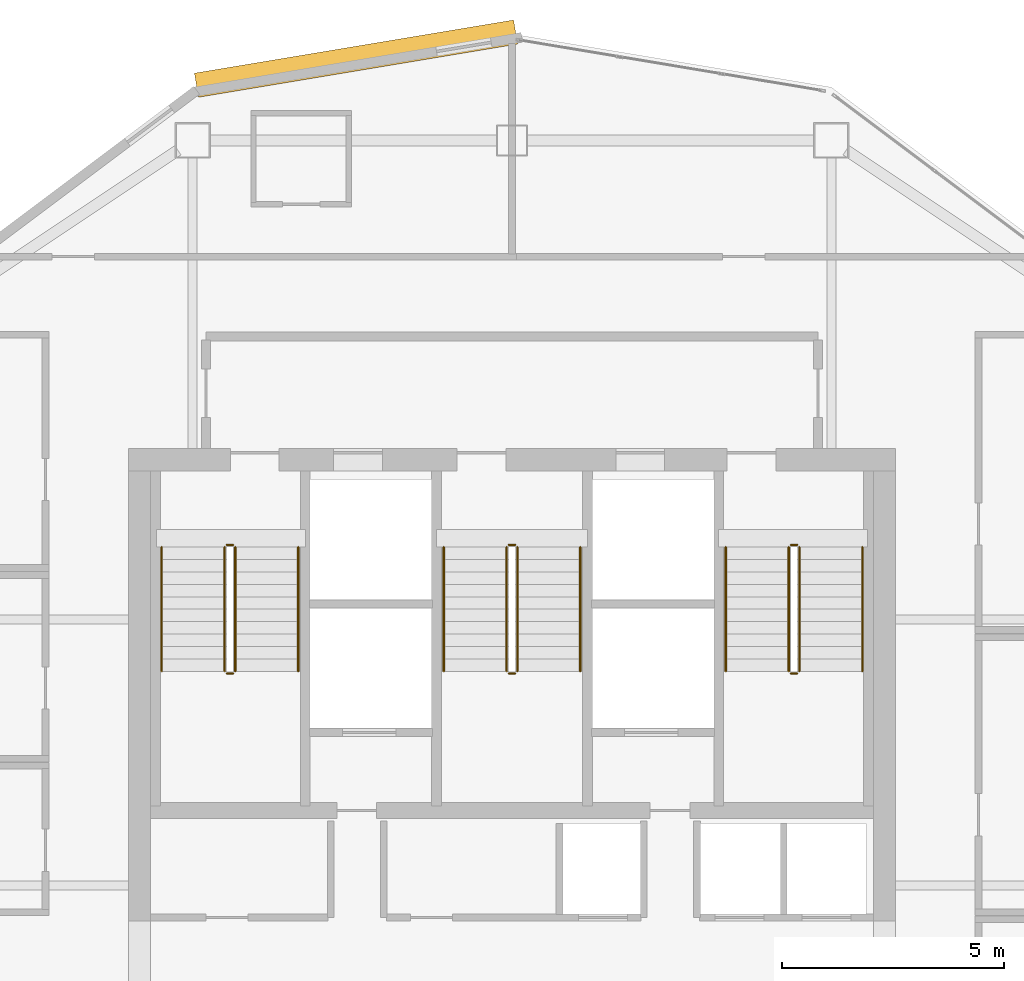
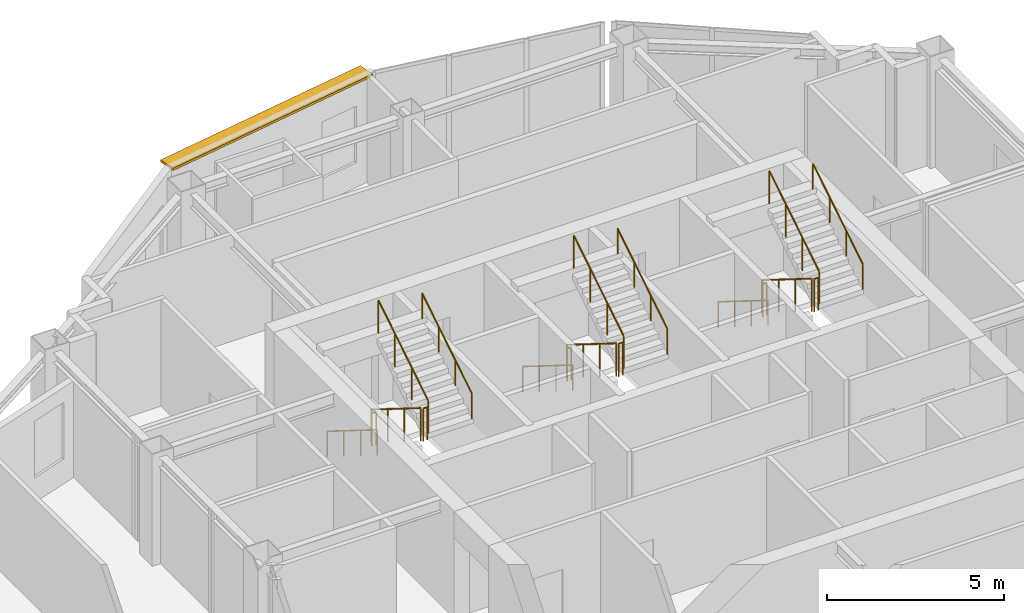
# One storey, part 10 of 10: 18 railings, 1 shading device.
"""IFC4 building model written with IfcOpenShell, lengths in metres."""

from ifc_helpers import new_model, si_unit, direction, frame, origin, origin_2d, place, context, subcontext, project, spatial, rectangle, circle, extrude, material, layer, layer_set, type_object, element, save


model = new_model("IFC4")

# Units and contexts
model_context = context("Model", 3, precision=1e-05, world=origin(), true_north=direction((0.0, 1.0)))
body_context = subcontext(model_context, "Body", "Model", "MODEL_VIEW")
ifc_project = project(units=[si_unit("LENGTHUNIT", "METRE"), si_unit("AREAUNIT", "SQUARE_METRE"), si_unit("VOLUMEUNIT", "CUBIC_METRE"), si_unit("PLANEANGLEUNIT", "RADIAN"), si_unit("MASSUNIT", "GRAM", prefix="KILO")], contexts=[model_context])

# Site, building, storey
site_placement = place(None, origin())
site = spatial("IfcSite", under=ifc_project, at=site_placement, CompositionType="ELEMENT")
building_placement = place(site_placement, origin())
building = spatial("IfcBuilding", under=site, at=building_placement, Name="Haolan Belvedere Tower", CompositionType="ELEMENT")
storey_placement = place(building_placement, frame((0.0, 0.0, 246.75)))
storey = spatial("IfcBuildingStorey", under=building, at=storey_placement, Name="L62", CompositionType="ELEMENT", Elevation=246.75)

# Railings
ifc_material_1 = material(Name="Brushed stainless steel 304", Category="steel")
railing_type_1 = type_object("IfcRailingType", Name="RL-STAIR-GRD-1150", PredefinedType="GUARDRAIL", material=ifc_material_1)
railing_1_placement = place(storey_placement, frame((31.919921875, 41.22998046875, 0.175048828125)))
element("IfcRailing", 1, at=railing_1_placement, inside=storey, type_object=railing_type_1, Name="L62 ST1 stair guard 1", PredefinedType="GUARDRAIL", context=body_context, shape_type="SweptSolid", body=[
    extrude(circle(Radius=0.02392578125, at=origin_2d()), frame((0.0, 0.0, 1.1259765625), z_axis=(0.0, -0.848002457836, 0.529992293815), x_axis=(1.0, 0.0, 0.0)), (0.0, 0.0, 1.0), 3.302001953125),
    extrude(circle(Radius=0.02099609375, at=origin_2d()), origin(), (0.0, 0.0, 1.0), 1.101806640625),
    extrude(circle(Radius=0.02099609375, at=origin_2d()), frame((0.0, -0.933349609375, 0.583251953125)), (0.0, 0.0, 1.0), 1.101806640625),
    extrude(circle(Radius=0.02099609375, at=origin_2d()), frame((0.0, -1.86669921875, 1.166748046875)), (0.0, 0.0, 1.0), 1.101806640625),
    extrude(circle(Radius=0.02099609375, at=origin_2d()), frame((0.0, -2.800048828125, 1.75)), (0.0, 0.0, 1.0), 1.101806640625),
])
railing_2_placement = place(storey_placement, frame((31.969970703125, 38.3798828125, 1.925048828125)))
element("IfcRailing", 2, at=railing_2_placement, inside=storey, type_object=railing_type_1, Name="L62 ST1 stair guard 2", PredefinedType="GUARDRAIL", context=body_context, shape_type="SweptSolid", body=[
    extrude(circle(Radius=0.02392578125, at=origin_2d()), frame((0.0, 0.0, 1.1259765625), z_axis=(1.0, 0.0, 0.0), x_axis=(0.0, 1.0, 0.0)), (0.0, 0.0, 1.0), 0.14013671875),
    extrude(circle(Radius=0.02099609375, at=origin_2d()), origin(), (0.0, 0.0, 1.0), 1.101806640625),
    extrude(circle(Radius=0.02099609375, at=origin_2d()), frame((0.14013671875, 0.0, 0.0)), (0.0, 0.0, 1.0), 1.101806640625),
])
railing_3_placement = place(storey_placement, frame((32.159912109375, 38.429931640625, 2.10009765625)))
element("IfcRailing", 3, at=railing_3_placement, inside=storey, type_object=railing_type_1, Name="L62 ST1 stair guard 3", PredefinedType="GUARDRAIL", context=body_context, shape_type="SweptSolid", body=[
    extrude(circle(Radius=0.02392578125, at=origin_2d()), frame((0.0, 0.0, 1.1259765625), z_axis=(0.0, 0.848002457836, 0.529992293815), x_axis=(-1.0, 0.0, 0.0)), (0.0, 0.0, 1.0), 3.302001953125),
    extrude(circle(Radius=0.02099609375, at=origin_2d()), origin(), (0.0, 0.0, 1.0), 1.101806640625),
    extrude(circle(Radius=0.02099609375, at=origin_2d()), frame((0.0, 0.933349609375, 0.583251953125)), (0.0, 0.0, 1.0), 1.101806640625),
    extrude(circle(Radius=0.02099609375, at=origin_2d()), frame((0.0, 1.86669921875, 1.166748046875)), (0.0, 0.0, 1.0), 1.101806640625),
    extrude(circle(Radius=0.02099609375, at=origin_2d()), frame((0.0, 2.800048828125, 1.75)), (0.0, 0.0, 1.0), 1.101806640625),
])
railing_4_placement = place(storey_placement, frame((31.969970703125, 41.280029296875, 0.0)))
element("IfcRailing", 4, at=railing_4_placement, inside=storey, type_object=railing_type_1, Name="L62 ST1 stair guard 4", PredefinedType="GUARDRAIL", context=body_context, shape_type="SweptSolid", body=[
    extrude(circle(Radius=0.02392578125, at=origin_2d()), frame((0.0, 0.0, 1.1259765625), z_axis=(1.0, 0.0, 0.0), x_axis=(0.0, 1.0, 0.0)), (0.0, 0.0, 1.0), 0.14013671875),
    extrude(circle(Radius=0.02099609375, at=origin_2d()), origin(), (0.0, 0.0, 1.0), 1.101806640625),
    extrude(circle(Radius=0.02099609375, at=origin_2d()), frame((0.14013671875, 0.0, 0.0)), (0.0, 0.0, 1.0), 1.101806640625),
])
railing_5_placement = place(storey_placement, frame((38.280029296875, 41.22998046875, 0.175048828125)))
element("IfcRailing", 5, at=railing_5_placement, inside=storey, type_object=railing_type_1, Name="L62 ST3 stair guard 1", PredefinedType="GUARDRAIL", context=body_context, shape_type="SweptSolid", body=[
    extrude(circle(Radius=0.02392578125, at=origin_2d()), frame((0.0, 0.0, 1.1259765625), z_axis=(0.0, -0.848002457836, 0.529992293815), x_axis=(1.0, 0.0, 0.0)), (0.0, 0.0, 1.0), 3.302001953125),
    extrude(circle(Radius=0.02099609375, at=origin_2d()), origin(), (0.0, 0.0, 1.0), 1.101806640625),
    extrude(circle(Radius=0.02099609375, at=origin_2d()), frame((0.0, -0.933349609375, 0.583251953125)), (0.0, 0.0, 1.0), 1.101806640625),
    extrude(circle(Radius=0.02099609375, at=origin_2d()), frame((0.0, -1.86669921875, 1.166748046875)), (0.0, 0.0, 1.0), 1.101806640625),
    extrude(circle(Radius=0.02099609375, at=origin_2d()), frame((0.0, -2.800048828125, 1.75)), (0.0, 0.0, 1.0), 1.101806640625),
])
railing_6_placement = place(storey_placement, frame((38.330078125, 38.3798828125, 1.925048828125)))
element("IfcRailing", 6, at=railing_6_placement, inside=storey, type_object=railing_type_1, Name="L62 ST3 stair guard 2", PredefinedType="GUARDRAIL", context=body_context, shape_type="SweptSolid", body=[
    extrude(circle(Radius=0.02392578125, at=origin_2d()), frame((0.0, 0.0, 1.1259765625), z_axis=(1.0, 0.0, 0.0), x_axis=(0.0, 1.0, 0.0)), (0.0, 0.0, 1.0), 0.139892578125),
    extrude(circle(Radius=0.02099609375, at=origin_2d()), origin(), (0.0, 0.0, 1.0), 1.101806640625),
    extrude(circle(Radius=0.02099609375, at=origin_2d()), frame((0.139892578125, 0.0, 0.0)), (0.0, 0.0, 1.0), 1.101806640625),
])
railing_7_placement = place(storey_placement, frame((38.52001953125, 38.429931640625, 2.10009765625)))
element("IfcRailing", 7, at=railing_7_placement, inside=storey, type_object=railing_type_1, Name="L62 ST3 stair guard 3", PredefinedType="GUARDRAIL", context=body_context, shape_type="SweptSolid", body=[
    extrude(circle(Radius=0.02392578125, at=origin_2d()), frame((0.0, 0.0, 1.1259765625), z_axis=(0.0, 0.848002457836, 0.529992293815), x_axis=(-1.0, 0.0, 0.0)), (0.0, 0.0, 1.0), 3.302001953125),
    extrude(circle(Radius=0.02099609375, at=origin_2d()), origin(), (0.0, 0.0, 1.0), 1.101806640625),
    extrude(circle(Radius=0.02099609375, at=origin_2d()), frame((0.0, 0.933349609375, 0.583251953125)), (0.0, 0.0, 1.0), 1.101806640625),
    extrude(circle(Radius=0.02099609375, at=origin_2d()), frame((0.0, 1.86669921875, 1.166748046875)), (0.0, 0.0, 1.0), 1.101806640625),
    extrude(circle(Radius=0.02099609375, at=origin_2d()), frame((0.0, 2.800048828125, 1.75)), (0.0, 0.0, 1.0), 1.101806640625),
])
railing_8_placement = place(storey_placement, frame((38.330078125, 41.280029296875, 0.0)))
element("IfcRailing", 8, at=railing_8_placement, inside=storey, type_object=railing_type_1, Name="L62 ST3 stair guard 4", PredefinedType="GUARDRAIL", context=body_context, shape_type="SweptSolid", body=[
    extrude(circle(Radius=0.02392578125, at=origin_2d()), frame((0.0, 0.0, 1.1259765625), z_axis=(1.0, 0.0, 0.0), x_axis=(0.0, 1.0, 0.0)), (0.0, 0.0, 1.0), 0.139892578125),
    extrude(circle(Radius=0.02099609375, at=origin_2d()), origin(), (0.0, 0.0, 1.0), 1.101806640625),
    extrude(circle(Radius=0.02099609375, at=origin_2d()), frame((0.139892578125, 0.0, 0.0)), (0.0, 0.0, 1.0), 1.101806640625),
])
railing_9_placement = place(storey_placement, frame((44.639892578125, 41.22998046875, 0.175048828125)))
element("IfcRailing", 9, at=railing_9_placement, inside=storey, type_object=railing_type_1, Name="L62 ST2 stair guard 1", PredefinedType="GUARDRAIL", context=body_context, shape_type="SweptSolid", body=[
    extrude(circle(Radius=0.02392578125, at=origin_2d()), frame((0.0, 0.0, 1.1259765625), z_axis=(0.0, -0.848002457836, 0.529992293815), x_axis=(1.0, 0.0, 0.0)), (0.0, 0.0, 1.0), 3.302001953125),
    extrude(circle(Radius=0.02099609375, at=origin_2d()), origin(), (0.0, 0.0, 1.0), 1.101806640625),
    extrude(circle(Radius=0.02099609375, at=origin_2d()), frame((0.0, -0.933349609375, 0.583251953125)), (0.0, 0.0, 1.0), 1.101806640625),
    extrude(circle(Radius=0.02099609375, at=origin_2d()), frame((0.0, -1.86669921875, 1.166748046875)), (0.0, 0.0, 1.0), 1.101806640625),
    extrude(circle(Radius=0.02099609375, at=origin_2d()), frame((0.0, -2.800048828125, 1.75)), (0.0, 0.0, 1.0), 1.101806640625),
])
railing_10_placement = place(storey_placement, frame((44.68994140625, 38.3798828125, 1.925048828125)))
element("IfcRailing", 10, at=railing_10_placement, inside=storey, type_object=railing_type_1, Name="L62 ST2 stair guard 2", PredefinedType="GUARDRAIL", context=body_context, shape_type="SweptSolid", body=[
    extrude(circle(Radius=0.02392578125, at=origin_2d()), frame((0.0, 0.0, 1.1259765625), z_axis=(1.0, 0.0, 0.0), x_axis=(0.0, 1.0, 0.0)), (0.0, 0.0, 1.0), 0.14013671875),
    extrude(circle(Radius=0.02099609375, at=origin_2d()), origin(), (0.0, 0.0, 1.0), 1.101806640625),
    extrude(circle(Radius=0.02099609375, at=origin_2d()), frame((0.14013671875, 0.0, 0.0)), (0.0, 0.0, 1.0), 1.101806640625),
])
railing_11_placement = place(storey_placement, frame((44.8798828125, 38.429931640625, 2.10009765625)))
element("IfcRailing", 11, at=railing_11_placement, inside=storey, type_object=railing_type_1, Name="L62 ST2 stair guard 3", PredefinedType="GUARDRAIL", context=body_context, shape_type="SweptSolid", body=[
    extrude(circle(Radius=0.02392578125, at=origin_2d()), frame((0.0, 0.0, 1.1259765625), z_axis=(0.0, 0.848002457836, 0.529992293815), x_axis=(-1.0, 0.0, 0.0)), (0.0, 0.0, 1.0), 3.302001953125),
    extrude(circle(Radius=0.02099609375, at=origin_2d()), origin(), (0.0, 0.0, 1.0), 1.101806640625),
    extrude(circle(Radius=0.02099609375, at=origin_2d()), frame((0.0, 0.933349609375, 0.583251953125)), (0.0, 0.0, 1.0), 1.101806640625),
    extrude(circle(Radius=0.02099609375, at=origin_2d()), frame((0.0, 1.86669921875, 1.166748046875)), (0.0, 0.0, 1.0), 1.101806640625),
    extrude(circle(Radius=0.02099609375, at=origin_2d()), frame((0.0, 2.800048828125, 1.75)), (0.0, 0.0, 1.0), 1.101806640625),
])
railing_12_placement = place(storey_placement, frame((44.68994140625, 41.280029296875, 0.0)))
element("IfcRailing", 12, at=railing_12_placement, inside=storey, type_object=railing_type_1, Name="L62 ST2 stair guard 4", PredefinedType="GUARDRAIL", context=body_context, shape_type="SweptSolid", body=[
    extrude(circle(Radius=0.02392578125, at=origin_2d()), frame((0.0, 0.0, 1.1259765625), z_axis=(1.0, 0.0, 0.0), x_axis=(0.0, 1.0, 0.0)), (0.0, 0.0, 1.0), 0.14013671875),
    extrude(circle(Radius=0.02099609375, at=origin_2d()), origin(), (0.0, 0.0, 1.0), 1.101806640625),
    extrude(circle(Radius=0.02099609375, at=origin_2d()), frame((0.14013671875, 0.0, 0.0)), (0.0, 0.0, 1.0), 1.101806640625),
])
railing_type_2 = type_object("IfcRailingType", Name="RL-STAIR-HND-900", PredefinedType="HANDRAIL", material=ifc_material_1)
railing_13_placement = place(storey_placement, frame((30.5, 41.22998046875, 0.175048828125)))
element("IfcRailing", 13, at=railing_13_placement, inside=storey, type_object=railing_type_2, Name="L62 ST1 stair handrail 1", PredefinedType="HANDRAIL", context=body_context, shape_type="SweptSolid", body=[
    extrude(circle(Radius=0.02392578125, at=origin_2d()), frame((0.0, 0.0, 0.8759765625), z_axis=(0.0, -0.848002457836, 0.529992293815), x_axis=(1.0, 0.0, 0.0)), (0.0, 0.0, 1.0), 3.302001953125),
    extrude(circle(Radius=0.02099609375, at=origin_2d()), origin(), (0.0, 0.0, 1.0), 0.851806640625),
    extrude(circle(Radius=0.02099609375, at=origin_2d()), frame((0.0, -0.933349609375, 0.583251953125)), (0.0, 0.0, 1.0), 0.851806640625),
    extrude(circle(Radius=0.02099609375, at=origin_2d()), frame((0.0, -1.86669921875, 1.166748046875)), (0.0, 0.0, 1.0), 0.851806640625),
    extrude(circle(Radius=0.02099609375, at=origin_2d()), frame((0.0, -2.800048828125, 1.75)), (0.0, 0.0, 1.0), 0.851806640625),
])
railing_14_placement = place(storey_placement, frame((33.580078125, 38.429931640625, 2.10009765625)))
element("IfcRailing", 14, at=railing_14_placement, inside=storey, type_object=railing_type_2, Name="L62 ST1 stair handrail 2", PredefinedType="HANDRAIL", context=body_context, shape_type="SweptSolid", body=[
    extrude(circle(Radius=0.02392578125, at=origin_2d()), frame((0.0, 0.0, 0.8759765625), z_axis=(0.0, 0.848002457836, 0.529992293815), x_axis=(-1.0, 0.0, 0.0)), (0.0, 0.0, 1.0), 3.302001953125),
    extrude(circle(Radius=0.02099609375, at=origin_2d()), origin(), (0.0, 0.0, 1.0), 0.851806640625),
    extrude(circle(Radius=0.02099609375, at=origin_2d()), frame((0.0, 0.933349609375, 0.583251953125)), (0.0, 0.0, 1.0), 0.851806640625),
    extrude(circle(Radius=0.02099609375, at=origin_2d()), frame((0.0, 1.86669921875, 1.166748046875)), (0.0, 0.0, 1.0), 0.851806640625),
    extrude(circle(Radius=0.02099609375, at=origin_2d()), frame((0.0, 2.800048828125, 1.75)), (0.0, 0.0, 1.0), 0.851806640625),
])
railing_15_placement = place(storey_placement, frame((36.860107421875, 41.22998046875, 0.175048828125)))
element("IfcRailing", 15, at=railing_15_placement, inside=storey, type_object=railing_type_2, Name="L62 ST3 stair handrail 1", PredefinedType="HANDRAIL", context=body_context, shape_type="SweptSolid", body=[
    extrude(circle(Radius=0.02392578125, at=origin_2d()), frame((0.0, 0.0, 0.8759765625), z_axis=(0.0, -0.848002457836, 0.529992293815), x_axis=(1.0, 0.0, 0.0)), (0.0, 0.0, 1.0), 3.302001953125),
    extrude(circle(Radius=0.02099609375, at=origin_2d()), origin(), (0.0, 0.0, 1.0), 0.851806640625),
    extrude(circle(Radius=0.02099609375, at=origin_2d()), frame((0.0, -0.933349609375, 0.583251953125)), (0.0, 0.0, 1.0), 0.851806640625),
    extrude(circle(Radius=0.02099609375, at=origin_2d()), frame((0.0, -1.86669921875, 1.166748046875)), (0.0, 0.0, 1.0), 0.851806640625),
    extrude(circle(Radius=0.02099609375, at=origin_2d()), frame((0.0, -2.800048828125, 1.75)), (0.0, 0.0, 1.0), 0.851806640625),
])
railing_16_placement = place(storey_placement, frame((39.93994140625, 38.429931640625, 2.10009765625)))
element("IfcRailing", 16, at=railing_16_placement, inside=storey, type_object=railing_type_2, Name="L62 ST3 stair handrail 2", PredefinedType="HANDRAIL", context=body_context, shape_type="SweptSolid", body=[
    extrude(circle(Radius=0.02392578125, at=origin_2d()), frame((0.0, 0.0, 0.8759765625), z_axis=(0.0, 0.848002457836, 0.529992293815), x_axis=(-1.0, 0.0, 0.0)), (0.0, 0.0, 1.0), 3.302001953125),
    extrude(circle(Radius=0.02099609375, at=origin_2d()), origin(), (0.0, 0.0, 1.0), 0.851806640625),
    extrude(circle(Radius=0.02099609375, at=origin_2d()), frame((0.0, 0.933349609375, 0.583251953125)), (0.0, 0.0, 1.0), 0.851806640625),
    extrude(circle(Radius=0.02099609375, at=origin_2d()), frame((0.0, 1.86669921875, 1.166748046875)), (0.0, 0.0, 1.0), 0.851806640625),
    extrude(circle(Radius=0.02099609375, at=origin_2d()), frame((0.0, 2.800048828125, 1.75)), (0.0, 0.0, 1.0), 0.851806640625),
])
railing_17_placement = place(storey_placement, frame((43.219970703125, 41.22998046875, 0.175048828125)))
element("IfcRailing", 17, at=railing_17_placement, inside=storey, type_object=railing_type_2, Name="L62 ST2 stair handrail 1", PredefinedType="HANDRAIL", context=body_context, shape_type="SweptSolid", body=[
    extrude(circle(Radius=0.02392578125, at=origin_2d()), frame((0.0, 0.0, 0.8759765625), z_axis=(0.0, -0.848002457836, 0.529992293815), x_axis=(1.0, 0.0, 0.0)), (0.0, 0.0, 1.0), 3.302001953125),
    extrude(circle(Radius=0.02099609375, at=origin_2d()), origin(), (0.0, 0.0, 1.0), 0.851806640625),
    extrude(circle(Radius=0.02099609375, at=origin_2d()), frame((0.0, -0.933349609375, 0.583251953125)), (0.0, 0.0, 1.0), 0.851806640625),
    extrude(circle(Radius=0.02099609375, at=origin_2d()), frame((0.0, -1.86669921875, 1.166748046875)), (0.0, 0.0, 1.0), 0.851806640625),
    extrude(circle(Radius=0.02099609375, at=origin_2d()), frame((0.0, -2.800048828125, 1.75)), (0.0, 0.0, 1.0), 0.851806640625),
])
railing_18_placement = place(storey_placement, frame((46.300048828125, 38.429931640625, 2.10009765625)))
element("IfcRailing", 18, at=railing_18_placement, inside=storey, type_object=railing_type_2, Name="L62 ST2 stair handrail 2", PredefinedType="HANDRAIL", context=body_context, shape_type="SweptSolid", body=[
    extrude(circle(Radius=0.02392578125, at=origin_2d()), frame((0.0, 0.0, 0.8759765625), z_axis=(0.0, 0.848002457836, 0.529992293815), x_axis=(-1.0, 0.0, 0.0)), (0.0, 0.0, 1.0), 3.302001953125),
    extrude(circle(Radius=0.02099609375, at=origin_2d()), origin(), (0.0, 0.0, 1.0), 0.851806640625),
    extrude(circle(Radius=0.02099609375, at=origin_2d()), frame((0.0, 0.933349609375, 0.583251953125)), (0.0, 0.0, 1.0), 0.851806640625),
    extrude(circle(Radius=0.02099609375, at=origin_2d()), frame((0.0, 1.86669921875, 1.166748046875)), (0.0, 0.0, 1.0), 0.851806640625),
    extrude(circle(Radius=0.02099609375, at=origin_2d()), frame((0.0, 2.800048828125, 1.75)), (0.0, 0.0, 1.0), 0.851806640625),
])

# Shading device
ifc_material_2 = material(Name="Anodised champagne-silver aluminium 6063-T6", Category="aluminium")
ifc_layer = layer(ifc_material_2, 0.080078125, Name="Anodised champagne-silver aluminium 6063-T6")
ifc_layer_set = layer_set([ifc_layer], Name="Anodised champagne-silver aluminium 6063-T6")
shading_device_type = type_object("IfcShadingDeviceType", Name="SHD-SUN-550", PredefinedType="USERDEFINED", material=ifc_layer_set)
shading_device_placement = place(storey_placement, frame((34.883056640625, 52.244384765625, 3.570068359375), z_axis=(0.0, 0.0, 1.0), x_axis=(-0.986394848329, -0.164393440227, 0.0)))
element("IfcShadingDevice", 19, at=shading_device_placement, inside=storey, type_object=shading_device_type, Name="L62 pale-metal horizontal SUNSHADE band 10.1", ObjectType="SUNSHADE", PredefinedType="USERDEFINED", context=body_context, shape_type="SweptSolid", body=[
    extrude(rectangle(XDim=7.294189453125, YDim=0.550048828125, at=origin_2d()), origin(), (0.0, 0.0, 1.0), 0.080078125),
])

save(model, "model.ifc")
